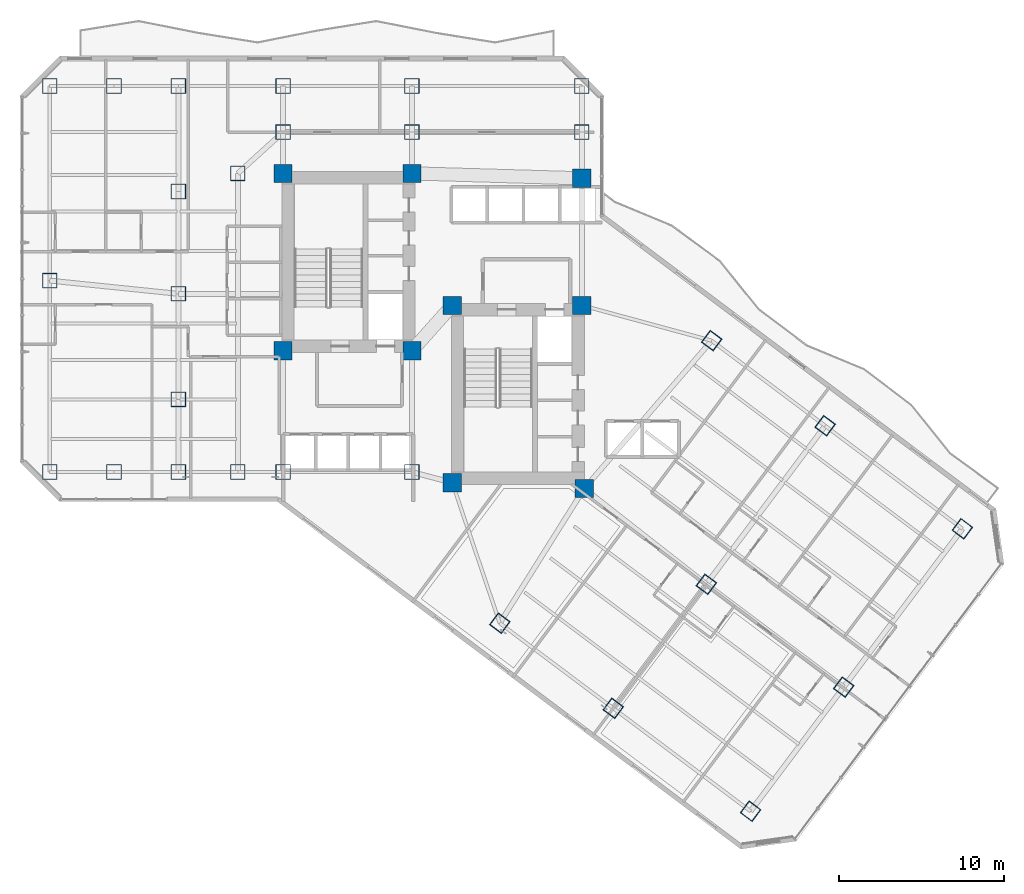
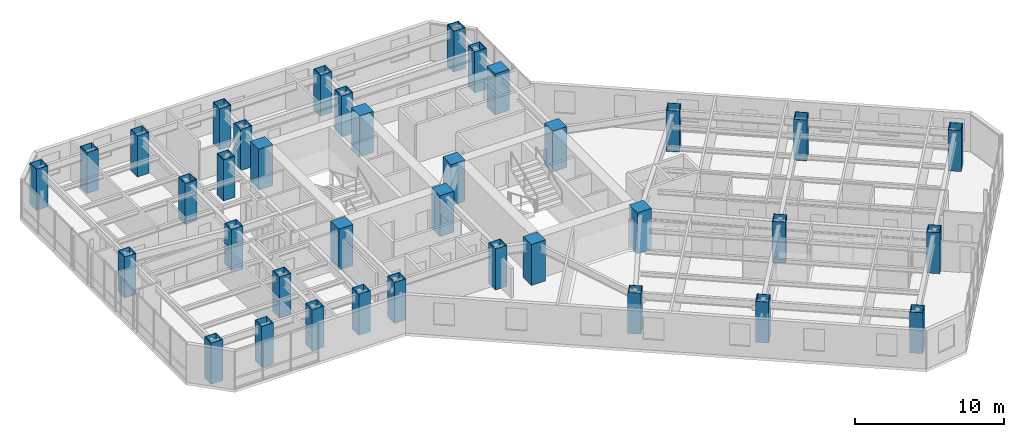
# One storey, part 1 of 31: 37 columns.
"""IFC4 building model written with IfcOpenShell, lengths in metres."""

from ifc_helpers import new_model, si_unit, direction, frame, origin, origin_2d, place, context, subcontext, project, spatial, rectangle, hollow_rectangle, extrude, material, material_profile, profile_set, type_object, element, save


model = new_model("IFC4")

# Units and contexts
model_context = context("Model", 3, precision=1e-05, world=origin(), true_north=direction((0.0, 1.0)))
body_context = subcontext(model_context, "Body", "Model", "MODEL_VIEW")
ifc_project = project(units=[si_unit("LENGTHUNIT", "METRE"), si_unit("AREAUNIT", "SQUARE_METRE"), si_unit("VOLUMEUNIT", "CUBIC_METRE"), si_unit("PLANEANGLEUNIT", "RADIAN"), si_unit("MASSUNIT", "GRAM", prefix="KILO")], contexts=[model_context])

# Site, building, storey
site_placement = place(None, origin())
site = spatial("IfcSite", under=ifc_project, at=site_placement, CompositionType="ELEMENT")
building_placement = place(site_placement, origin())
building = spatial("IfcBuilding", under=site, at=building_placement, Name="Hatsunagi Terrace Concourse", CompositionType="ELEMENT")
storey_placement = place(building_placement, frame((0.0, 0.0, 81.300048828125)))
storey = spatial("IfcBuildingStorey", under=building, at=storey_placement, Name="L21", CompositionType="ELEMENT", Elevation=81.300048828125)

# Columns
ifc_material_1 = material(Name="Concrete Fc60", Category="concrete")
ifc_material_profile_1 = material_profile(ifc_material_1, rectangle(XDim=1.10009765625, YDim=1.10009765625, at=origin_2d()), Name="RC-1100x1100")
ifc_profile_set_1 = profile_set([ifc_material_profile_1], Name="Concrete Fc60")
column_type_1 = type_object("IfcColumnType", Name="CoreColumn_RC_1100x1100", PredefinedType="COLUMN", material=ifc_profile_set_1)
for number, where, z_axis, x_axis, name in (
    (1, (25.550048828125, 32.550048828125, 0.0), (0.0, 0.0, 1.0), (1.0, 0.0, 0.0), "Column C-01 L21-CASW"),
    (2, (33.35009765625, 32.550048828125, 0.0), (0.0, 0.0, 1.0), (1.0, 0.0, 0.0), "Column C-01 L21-CASE"),
    (3, (25.550048828125, 43.300048828125, 0.0), (0.0, 0.0, 1.0), (1.0, 0.0, 0.0), "Column C-01 L21-CANW"),
    (4, (33.35009765625, 43.300048828125, 0.0), (0.0, 0.0, 1.0), (1.0, 0.0, 0.0), "Column C-01 L21-CANE"),
    (5, (35.800048828125, 24.550048828125, 0.0), (0.0, 0.0, 1.0), (1.0, 0.0, 0.0), "Column C-01 L21-CBSW"),
    (6, (43.800048828125, 24.199951171875, 0.0), (0.0, 0.0, 1.0), (1.0, 0.0, 0.0), "Column C-01 L21-CBSE"),
    (7, (35.800048828125, 35.300048828125, 0.0), (0.0, 0.0, 1.0), (1.0, 0.0, 0.0), "Column C-01 L21-CBNW"),
    (8, (43.64990234375, 35.300048828125, 0.0), (0.0, 0.0, 1.0), (1.0, 0.0, 0.0), "Column C-01 L21-CBNE"),
    (9, (43.64990234375, 43.0, 0.0), (0.0, 0.0, 1.0), (1.0, 0.0, 0.0), "Column C-01 L21-K3"),
):
    element("IfcColumn", number, at=place(storey_placement, frame(where, z_axis=z_axis, x_axis=x_axis)), inside=storey, type_object=column_type_1, Name=name, PredefinedType="COLUMN", context=body_context, shape_type="SweptSolid", body=[
        extrude(rectangle(XDim=1.10009765625, YDim=1.10009765625, at=origin_2d()), origin(), (0.0, 0.0, 1.0), 3.349853515625),
    ])
ifc_material_2 = material(Name="Steel BCP325T", Category="steel")
ifc_material_profile_2 = material_profile(ifc_material_2, hollow_rectangle(XDim=0.89990234375, YDim=0.89990234375, WallThickness=0.035888671875, at=origin_2d()), Name="BCP-900x900x36")
ifc_profile_set_2 = profile_set([ifc_material_profile_2], Name="Steel BCP325T")
column_type_2 = type_object("IfcColumnType", Name="TowerBoxColumn_900x900x36", PredefinedType="COLUMN", material=ifc_profile_set_2)
for number, where, z_axis, x_axis, name in (
    (10, (25.550048828125, 25.199951171875, 0.0), (0.0, 0.0, 1.0), (1.0, 0.0, 0.0), "Column C-04 L21-K1"),
    (11, (33.35009765625, 25.199951171875, 0.0), (0.0, 0.0, 1.0), (1.0, 0.0, 0.0), "Column C-04 L21-K2"),
    (12, (25.550048828125, 45.800048828125, 0.0), (0.0, 0.0, 1.0), (1.0, 0.0, 0.0), "Column C-04 L21-CN1"),
    (13, (33.35009765625, 45.800048828125, 0.0), (0.0, 0.0, 1.0), (1.0, 0.0, 0.0), "Column C-04 L21-CN2"),
    (14, (43.64990234375, 45.800048828125, 0.0), (0.0, 0.0, 1.0), (1.0, 0.0, 0.0), "Column C-04 L21-CN3"),
    (15, (11.39990234375, 25.199951171875, 0.0), (0.0, 0.0, 1.0), (1.0, 0.0, 0.0), "Column C-04 L21-WS2"),
    (16, (11.39990234375, 48.60009765625, 0.0), (0.0, 0.0, 1.0), (1.0, 0.0, 0.0), "Column C-04 L21-WN2"),
    (17, (19.199951171875, 48.60009765625, 0.0), (0.0, 0.0, 1.0), (1.0, 0.0, 0.0), "Column C-04 L21-WN3"),
    (18, (25.550048828125, 48.60009765625, 0.0), (0.0, 0.0, 1.0), (1.0, 0.0, 0.0), "Column C-04 L21-WN4"),
    (19, (33.35009765625, 48.60009765625, 0.0), (0.0, 0.0, 1.0), (1.0, 0.0, 0.0), "Column C-04 L21-WN5"),
    (20, (43.64990234375, 48.60009765625, 0.0), (0.0, 0.0, 1.0), (1.0, 0.0, 0.0), "Column C-04 L21-WN6"),
    (21, (19.199951171875, 25.199951171875, 0.0), (0.0, 0.0, 1.0), (1.0, 0.0, 0.0), "Column C-04 L21-WS3"),
    (22, (19.199951171875, 29.60009765625, 0.0), (0.0, 0.0, 1.0), (1.0, 0.0, 0.0), "Column C-04 L21-WR1"),
    (23, (19.199951171875, 42.199951171875, 0.0), (0.0, 0.0, 1.0), (1.0, 0.0, 0.0), "Column C-04 L21-WR2"),
    (24, (22.800048828125, 25.199951171875, 0.0), (0.0, 0.0, 1.0), (1.0, 0.0, 0.0), "Column C-04 L21-CW1"),
    (25, (22.800048828125, 43.300048828125, 0.0), (0.0, 0.0, 1.0), (1.0, 0.0, 0.0), "Column C-04 L21-CW2"),
    (26, (11.39990234375, 36.800048828125, 0.0), (0.0, 0.0, 1.0), (1.0, 0.0, 0.0), "Column C-04 L21-WT1"),
    (27, (19.199951171875, 36.0, 0.0), (0.0, 0.0, 1.0), (1.0, 0.0, 0.0), "Column C-04 L21-WT2"),
    (28, (15.300048828125, 25.199951171875, 0.0), (0.0, 0.0, 1.0), (1.0, 0.0, 0.0), "Column C-04 L21-WT3"),
    (29, (15.300048828125, 48.60009765625, 0.0), (0.0, 0.0, 1.0), (1.0, 0.0, 0.0), "Column C-04 L21-WT4"),
    (30, (38.679931640625, 16.0400390625, 0.0), (0.0, 0.0, 1.0), (0.799999996291, -0.600000004945, 0.0), "Column C-04 L21-SES1"),
    (31, (51.52001953125, 33.159912109375, 0.0), (0.0, 0.0, 1.0), (0.799999996291, -0.600000004945, 0.0), "Column C-04 L21-SEN1"),
    (32, (45.56005859375, 10.8798828125, 0.0), (0.0, 0.0, 1.0), (0.799999996291, -0.600000004945, 0.0), "Column C-04 L21-SES2"),
    (33, (58.39990234375, 28.0, 0.0), (0.0, 0.0, 1.0), (0.799999996291, -0.600000004945, 0.0), "Column C-04 L21-SEN2"),
    (34, (51.199951171875, 18.39990234375, 0.0), (0.0, 0.0, 1.0), (0.799999996291, -0.600000004945, 0.0), "Column C-04 L21-SEM2"),
    (35, (53.8798828125, 4.639892578125, 0.0), (0.0, 0.0, 1.0), (0.799999996291, -0.600000004945, 0.0), "Column C-04 L21-SES3"),
    (36, (66.719970703125, 21.760009765625, 0.0), (0.0, 0.0, 1.0), (0.799999996291, -0.600000004945, 0.0), "Column C-04 L21-SEN3"),
    (37, (59.52001953125, 12.159912109375, 0.0), (0.0, 0.0, 1.0), (0.799999996291, -0.600000004945, 0.0), "Column C-04 L21-SEM3"),
):
    element("IfcColumn", number, at=place(storey_placement, frame(where, z_axis=z_axis, x_axis=x_axis)), inside=storey, type_object=column_type_2, Name=name, PredefinedType="COLUMN", context=body_context, shape_type="SweptSolid", body=[
        extrude(hollow_rectangle(XDim=0.89990234375, YDim=0.89990234375, WallThickness=0.035888671875, at=origin_2d()), origin(), (0.0, 0.0, 1.0), 3.349853515625),
    ])

save(model, "model.ifc")
